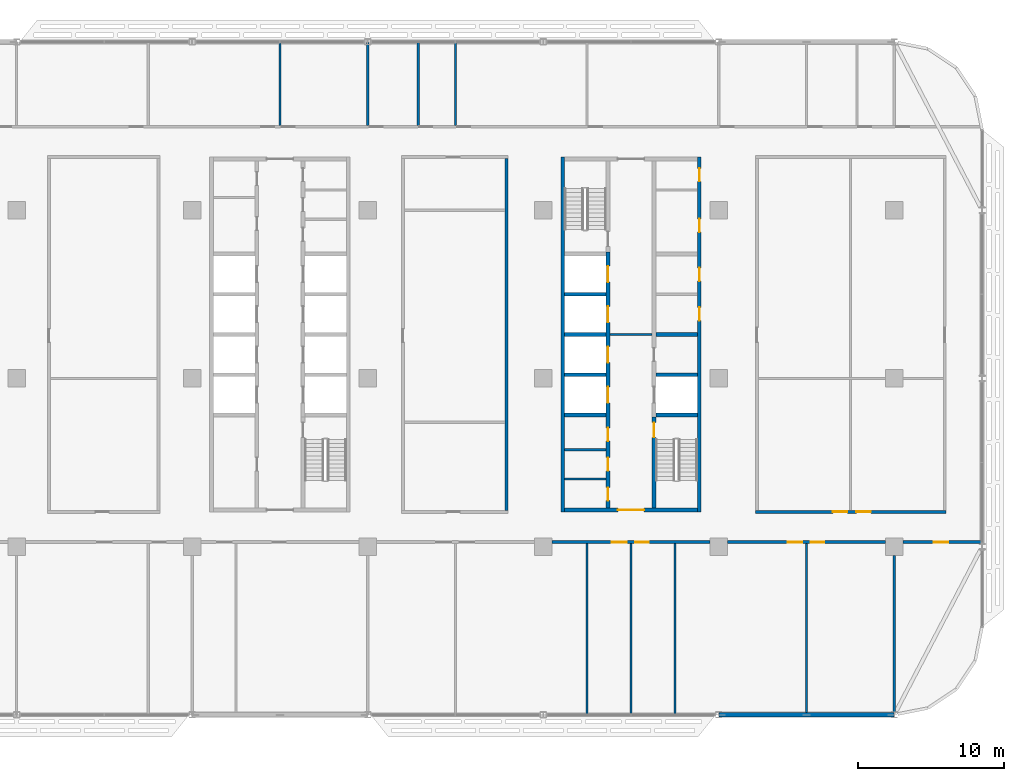
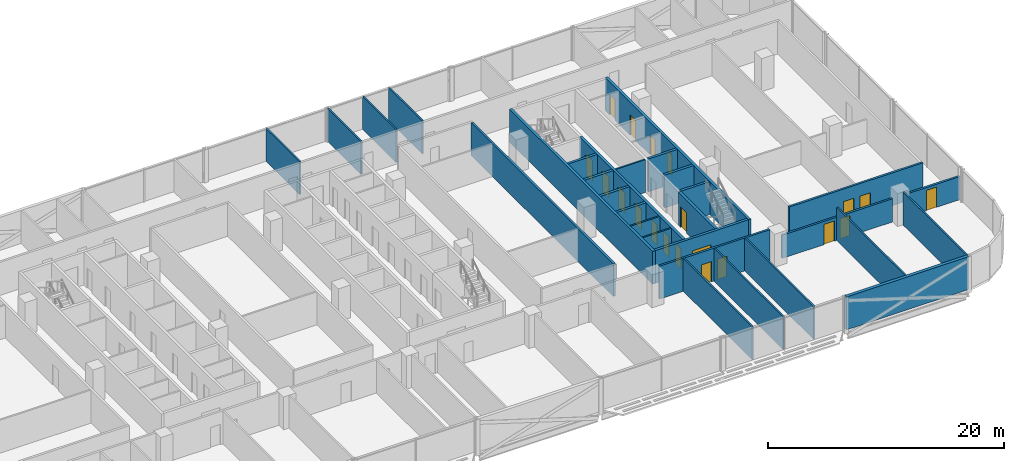
# One storey, part 15 of 28: 30 walls, 20 doors, 20 openings.
"""IFC4 building model written with IfcOpenShell, lengths in metres."""

from ifc_helpers import new_model, si_unit, direction, frame, frame_2d, origin, place, context, subcontext, project, spatial, rectangle, extrude, material, layer, layer_set, type_object, element, fill, save


model = new_model("IFC4")

# Units and contexts
model_context = context("Model", 3, precision=1e-05, world=origin(), true_north=direction((0.0, 1.0)))
body_context = subcontext(model_context, "Body", "Model", "MODEL_VIEW")
ifc_project = project(units=[si_unit("LENGTHUNIT", "METRE"), si_unit("AREAUNIT", "SQUARE_METRE"), si_unit("VOLUMEUNIT", "CUBIC_METRE"), si_unit("PLANEANGLEUNIT", "RADIAN"), si_unit("MASSUNIT", "GRAM", prefix="KILO")], contexts=[model_context])

# Site, building, storey
site_placement = place(None, origin())
site = spatial("IfcSite", under=ifc_project, at=site_placement, CompositionType="ELEMENT")
building_placement = place(site_placement, origin())
building = spatial("IfcBuilding", under=site, at=building_placement, Name="Mahtab Terrace Research Tower", CompositionType="ELEMENT")
storey_placement = place(building_placement, frame((0.0, 0.0, 185.800048828125)))
storey = spatial("IfcBuildingStorey", under=building, at=storey_placement, Name="L44", CompositionType="ELEMENT", Elevation=185.800048828125)

# Walls
ifc_material_1 = material(Name="Gypsum board partition")
ifc_layer_1 = layer(ifc_material_1, 0.14990234375)
ifc_layer_set_1 = layer_set([ifc_layer_1], Name="Core partition 150")
wall_type_1 = type_object("IfcWallType", Name="Core partition 150", PredefinedType="PARTITIONING", material=ifc_layer_set_1)
wall_1_placement = place(storey_placement, frame((22.550048828125, 3.0, 0.0), z_axis=(0.0, 0.0, 1.0), x_axis=(1.0, 0.0, 0.0)))
element("IfcWall", 1, at=wall_1_placement, inside=storey, type_object=wall_type_1, Name="Core wall C ffl", PredefinedType="PARTITIONING", context=body_context, shape_type="SweptSolid", body=[
    extrude(rectangle(XDim=2.89990234375, YDim=0.14990234375, at=frame_2d((1.449951171875, 0.0))), origin(), (0.0, 0.0, 1.0), 3.39990234375),
])
for number, where, z_axis, x_axis, name in (
    (2, (19.449951171875, -6.875, 0.0), (0.0, 0.0, 1.0), (1.0, 0.0, 0.0), "Core wall C pWS-988"),
    (3, (19.449951171875, -4.875, 0.0), (0.0, 0.0, 1.0), (1.0, 0.0, 0.0), "Core wall C pWS-788"),
):
    element("IfcWall", number, at=place(storey_placement, frame(where, z_axis=z_axis, x_axis=x_axis)), inside=storey, type_object=wall_type_1, Name=name, PredefinedType="PARTITIONING", context=body_context, shape_type="SweptSolid", body=[
        extrude(rectangle(XDim=2.85009765625, YDim=0.14990234375, at=frame_2d((1.425048828125, 0.0))), origin(), (0.0, 0.0, 1.0), 3.39990234375),
    ])
ifc_material_2 = material(Name="Concrete C70/85", Category="concrete")
ifc_layer_2 = layer(ifc_material_2, 0.25)
ifc_layer_set_2 = layer_set([ifc_layer_2], Name="Core wall 250")
wall_type_2 = type_object("IfcWallType", Name="Core wall 250", PredefinedType="SOLIDWALL", material=ifc_layer_set_2)
wall_2_placement = place(storey_placement, frame((19.324951171875, 15.125, 0.0), z_axis=(0.0, 0.0, 1.0), x_axis=(0.0, -1.0, 0.0)))
element("IfcWall", 4, at=wall_2_placement, inside=storey, type_object=wall_type_2, Name="Core wall C outerW", PredefinedType="SOLIDWALL", context=body_context, shape_type="SweptSolid", body=[
    extrude(rectangle(XDim=24.25, YDim=0.25, at=frame_2d((12.125, 0.0))), origin(), (0.0, 0.0, 1.0), 3.39990234375),
])

# Wall, openings, doors
wall_3_placement = place(storey_placement, frame((28.675048828125, -9.125, 0.0), z_axis=(0.0, 0.0, 1.0), x_axis=(0.0, 1.0, 0.0)))
wall_3 = element("IfcWall", 5, at=wall_3_placement, inside=storey, type_object=wall_type_2, Name="Core wall C outerE", PredefinedType="SOLIDWALL", context=body_context, shape_type="SweptSolid", body=[
    extrude(rectangle(XDim=24.25, YDim=0.25, at=frame_2d((12.125, 0.0))), origin(), (0.0, 0.0, 1.0), 3.39990234375),
])
opening_1_placement = place(wall_3_placement, frame((13.074951171875, 0.0, 0.0)))
opening_1 = element("IfcOpeningElement", 6, at=opening_1_placement, cuts=wall_3, Name="Opening C-R2", PredefinedType="OPENING", context=body_context, shape_type="SweptSolid", body=[
    extrude(rectangle(XDim=0.89990234375, YDim=2.10009765625, at=frame_2d((0.449951171875, 1.050048828125))), frame((0.0, 0.135009765625, 0.0), z_axis=(0.0, -1.0, 0.0), x_axis=(1.0, 0.0, 0.0)), (0.0, 0.0, 1.0), 0.27001953125),
])
opening_2_placement = place(wall_3_placement, frame((15.77490234375, 0.0, 0.0)))
opening_2 = element("IfcOpeningElement", 7, at=opening_2_placement, cuts=wall_3, Name="Opening C-R3", PredefinedType="OPENING", context=body_context, shape_type="SweptSolid", body=[
    extrude(rectangle(XDim=0.89990234375, YDim=2.10009765625, at=frame_2d((0.449951171875, 1.050048828125))), frame((0.0, 0.135009765625, 0.0), z_axis=(0.0, -1.0, 0.0), x_axis=(1.0, 0.0, 0.0)), (0.0, 0.0, 1.0), 0.27001953125),
])
opening_3_placement = place(wall_3_placement, frame((19.125, 0.0, 0.0)))
opening_3 = element("IfcOpeningElement", 8, at=opening_3_placement, cuts=wall_3, Name="Opening C-R7", PredefinedType="OPENING", context=body_context, shape_type="SweptSolid", body=[
    extrude(rectangle(XDim=0.89990234375, YDim=2.10009765625, at=frame_2d((0.449951171875, 1.050048828125))), frame((0.0, 0.135009765625, 0.0), z_axis=(0.0, -1.0, 0.0), x_axis=(1.0, 0.0, 0.0)), (0.0, 0.0, 1.0), 0.27001953125),
])
opening_4_placement = place(wall_3_placement, frame((22.58740234375, 0.0, 0.0)))
opening_4 = element("IfcOpeningElement", 9, at=opening_4_placement, cuts=wall_3, Name="Opening C-R8", PredefinedType="OPENING", context=body_context, shape_type="SweptSolid", body=[
    extrude(rectangle(XDim=0.89990234375, YDim=2.10009765625, at=frame_2d((0.449951171875, 1.050048828125))), frame((0.0, 0.135009765625, 0.0), z_axis=(0.0, -1.0, 0.0), x_axis=(1.0, 0.0, 0.0)), (0.0, 0.0, 1.0), 0.27001953125),
])
ifc_material_3 = material(Name="Steel fire door", Category="steel")
door_type_1 = type_object("IfcDoorType", Name="Room door 900x2100 1 HR", OperationType="NOTDEFINED", PredefinedType="DOOR", material=ifc_material_3)
door_1_placement = place(opening_1_placement, origin())
door_1 = element("IfcDoor", 10, at=door_1_placement, inside=storey, type_object=door_type_1, Name="Document store door", OperationType="SINGLE_SWING_RIGHT", OverallHeight=2.10009765625, OverallWidth=0.89990234375, PredefinedType="DOOR", context=body_context, shape_type="SweptSolid", body=[
    extrude(rectangle(XDim=0.89990234375, YDim=2.10009765625, at=frame_2d((0.449951171875, 1.050048828125))), frame((0.0, 0.02490234375, 0.0), z_axis=(0.0, -1.0, 0.0), x_axis=(1.0, 0.0, 0.0)), (0.0, 0.0, 1.0), 0.050048828125),
])
fill(opening_1, door_1)
door_2_placement = place(opening_2_placement, origin())
door_2 = element("IfcDoor", 11, at=door_2_placement, inside=storey, type_object=door_type_1, Name="IT equipment room door", OperationType="SINGLE_SWING_LEFT", OverallHeight=2.10009765625, OverallWidth=0.89990234375, PredefinedType="DOOR", context=body_context, shape_type="SweptSolid", body=[
    extrude(rectangle(XDim=0.89990234375, YDim=2.10009765625, at=frame_2d((0.449951171875, 1.050048828125))), frame((0.0, 0.02490234375, 0.0), z_axis=(0.0, -1.0, 0.0), x_axis=(1.0, 0.0, 0.0)), (0.0, 0.0, 1.0), 0.050048828125),
])
fill(opening_2, door_2)
door_3_placement = place(opening_3_placement, origin())
door_3 = element("IfcDoor", 12, at=door_3_placement, inside=storey, type_object=door_type_1, Name="IT equipment room door", OperationType="SINGLE_SWING_LEFT", OverallHeight=2.10009765625, OverallWidth=0.89990234375, PredefinedType="DOOR", context=body_context, shape_type="SweptSolid", body=[
    extrude(rectangle(XDim=0.89990234375, YDim=2.10009765625, at=frame_2d((0.449951171875, 1.050048828125))), frame((0.0, 0.02490234375, 0.0), z_axis=(0.0, -1.0, 0.0), x_axis=(1.0, 0.0, 0.0)), (0.0, 0.0, 1.0), 0.050048828125),
])
fill(opening_3, door_3)
door_4_placement = place(opening_4_placement, origin())
door_4 = element("IfcDoor", 13, at=door_4_placement, inside=storey, type_object=door_type_1, Name="Electrical riser room door", OperationType="SINGLE_SWING_RIGHT", OverallHeight=2.10009765625, OverallWidth=0.89990234375, PredefinedType="DOOR", context=body_context, shape_type="SweptSolid", body=[
    extrude(rectangle(XDim=0.89990234375, YDim=2.10009765625, at=frame_2d((0.449951171875, 1.050048828125))), frame((0.0, 0.02490234375, 0.0), z_axis=(0.0, -1.0, 0.0), x_axis=(1.0, 0.0, 0.0)), (0.0, 0.0, 1.0), 0.050048828125),
])
fill(opening_4, door_4)

# Wall, opening, door
wall_4_placement = place(storey_placement, frame((28.550048828125, -9.0, 0.0), z_axis=(0.0, 0.0, 1.0), x_axis=(-1.0, 0.0, 0.0)))
wall_4 = element("IfcWall", 14, at=wall_4_placement, inside=storey, type_object=wall_type_2, Name="Core wall C endS", PredefinedType="SOLIDWALL", context=body_context, shape_type="SweptSolid", body=[
    extrude(rectangle(XDim=9.10009765625, YDim=0.25, at=frame_2d((4.550048828125, 0.0))), origin(), (0.0, 0.0, 1.0), 3.39990234375),
])
opening_5_placement = place(wall_4_placement, frame((3.64990234375, 0.0, 0.0)))
opening_5 = element("IfcOpeningElement", 15, at=opening_5_placement, cuts=wall_4, Name="Opening C-S1", PredefinedType="OPENING", context=body_context, shape_type="SweptSolid", body=[
    extrude(rectangle(XDim=1.800048828125, YDim=2.10009765625, at=frame_2d((0.89990234375, 1.050048828125))), frame((0.0, 0.135009765625, 0.0), z_axis=(0.0, -1.0, 0.0), x_axis=(1.0, 0.0, 0.0)), (0.0, 0.0, 1.0), 0.27001953125),
])
door_type_2 = type_object("IfcDoorType", Name="Lobby double door 1800x2100 1 HR", OperationType="DOUBLE_DOOR_SINGLE_SWING", PredefinedType="DOOR", material=ifc_material_3)
door_5_placement = place(opening_5_placement, origin())
door_5 = element("IfcDoor", 16, at=door_5_placement, inside=storey, type_object=door_type_2, Name="Core entrance door C S", OperationType="DOUBLE_DOOR_SINGLE_SWING", OverallHeight=2.10009765625, OverallWidth=1.800048828125, PredefinedType="DOOR", context=body_context, shape_type="SweptSolid", body=[
    extrude(rectangle(XDim=1.800048828125, YDim=2.10009765625, at=frame_2d((0.89990234375, 1.050048828125))), frame((0.0, 0.02490234375, 0.0), z_axis=(0.0, -1.0, 0.0), x_axis=(1.0, 0.0, 0.0)), (0.0, 0.0, 1.0), 0.050048828125),
])
fill(opening_5, door_5)

# Wall, openings, doors
wall_5_placement = place(storey_placement, frame((22.425048828125, -8.875, 0.0), z_axis=(0.0, 0.0, 1.0), x_axis=(0.0, 1.0, 0.0)))
wall_5 = element("IfcWall", 17, at=wall_5_placement, inside=storey, type_object=wall_type_2, Name="Core wall C innerWSL", PredefinedType="SOLIDWALL", context=body_context, shape_type="SweptSolid", body=[
    extrude(rectangle(XDim=17.5, YDim=0.25, at=frame_2d((8.75, 0.0))), origin(), (0.0, 0.0, 1.0), 3.39990234375),
])
opening_6_placement = place(wall_5_placement, frame((7.199951171875, 0.0, 0.0)))
opening_6 = element("IfcOpeningElement", 18, at=opening_6_placement, cuts=wall_5, Name="Opening LD17-L44", PredefinedType="OPENING", context=body_context, shape_type="SweptSolid", body=[
    extrude(rectangle(XDim=1.10009765625, YDim=2.10009765625, at=frame_2d((0.550048828125, 1.050048828125))), frame((0.0, 0.135009765625, 0.0), z_axis=(0.0, -1.0, 0.0), x_axis=(1.0, 0.0, 0.0)), (0.0, 0.0, 1.0), 0.27001953125),
])
opening_7_placement = place(wall_5_placement, frame((9.949951171875, 0.0, 0.0)))
opening_7 = element("IfcOpeningElement", 19, at=opening_7_placement, cuts=wall_5, Name="Opening LD18-L44", PredefinedType="OPENING", context=body_context, shape_type="SweptSolid", body=[
    extrude(rectangle(XDim=1.10009765625, YDim=2.10009765625, at=frame_2d((0.550048828125, 1.050048828125))), frame((0.0, 0.135009765625, 0.0), z_axis=(0.0, -1.0, 0.0), x_axis=(1.0, 0.0, 0.0)), (0.0, 0.0, 1.0), 0.27001953125),
])
opening_8_placement = place(wall_5_placement, frame((12.699951171875, 0.0, 0.0)))
opening_8 = element("IfcOpeningElement", 20, at=opening_8_placement, cuts=wall_5, Name="Opening LD19-L44", PredefinedType="OPENING", context=body_context, shape_type="SweptSolid", body=[
    extrude(rectangle(XDim=1.10009765625, YDim=2.10009765625, at=frame_2d((0.550048828125, 1.050048828125))), frame((0.0, 0.135009765625, 0.0), z_axis=(0.0, -1.0, 0.0), x_axis=(1.0, 0.0, 0.0)), (0.0, 0.0, 1.0), 0.27001953125),
])
opening_9_placement = place(wall_5_placement, frame((15.449951171875, 0.0, 0.0)))
opening_9 = element("IfcOpeningElement", 21, at=opening_9_placement, cuts=wall_5, Name="Opening LD20-L44", PredefinedType="OPENING", context=body_context, shape_type="SweptSolid", body=[
    extrude(rectangle(XDim=1.10009765625, YDim=2.10009765625, at=frame_2d((0.550048828125, 1.050048828125))), frame((0.0, 0.135009765625, 0.0), z_axis=(0.0, -1.0, 0.0), x_axis=(1.0, 0.0, 0.0)), (0.0, 0.0, 1.0), 0.27001953125),
])
opening_10_placement = place(wall_5_placement, frame((0.512451171875, 0.0, 0.0)))
opening_10 = element("IfcOpeningElement", 22, at=opening_10_placement, cuts=wall_5, Name="Opening C-R4", PredefinedType="OPENING", context=body_context, shape_type="SweptSolid", body=[
    extrude(rectangle(XDim=0.89990234375, YDim=2.10009765625, at=frame_2d((0.449951171875, 1.050048828125))), frame((0.0, 0.135009765625, 0.0), z_axis=(0.0, -1.0, 0.0), x_axis=(1.0, 0.0, 0.0)), (0.0, 0.0, 1.0), 0.27001953125),
])
opening_11_placement = place(wall_5_placement, frame((2.550048828125, 0.0, 0.0)))
opening_11 = element("IfcOpeningElement", 23, at=opening_11_placement, cuts=wall_5, Name="Opening C-R5", PredefinedType="OPENING", context=body_context, shape_type="SweptSolid", body=[
    extrude(rectangle(XDim=0.89990234375, YDim=2.10009765625, at=frame_2d((0.449951171875, 1.050048828125))), frame((0.0, 0.135009765625, 0.0), z_axis=(0.0, -1.0, 0.0), x_axis=(1.0, 0.0, 0.0)), (0.0, 0.0, 1.0), 0.27001953125),
])
opening_12_placement = place(wall_5_placement, frame((4.58740234375, 0.0, 0.0)))
opening_12 = element("IfcOpeningElement", 24, at=opening_12_placement, cuts=wall_5, Name="Opening C-R6", PredefinedType="OPENING", context=body_context, shape_type="SweptSolid", body=[
    extrude(rectangle(XDim=0.89990234375, YDim=2.10009765625, at=frame_2d((0.449951171875, 1.050048828125))), frame((0.0, 0.135009765625, 0.0), z_axis=(0.0, -1.0, 0.0), x_axis=(1.0, 0.0, 0.0)), (0.0, 0.0, 1.0), 0.27001953125),
])
ifc_material_4 = material(Name="Stainless steel AISI 304", Category="steel")
door_type_3 = type_object("IfcDoorType", Name="Landing door 1100x2100", OperationType="DOUBLE_DOOR_SLIDING", PredefinedType="DOOR", material=ifc_material_4)
door_6_placement = place(opening_6_placement, origin())
door_6 = element("IfcDoor", 25, at=door_6_placement, inside=storey, type_object=door_type_3, Name="Landing door SV1 L44", OperationType="DOUBLE_DOOR_SLIDING", OverallHeight=2.10009765625, OverallWidth=1.10009765625, PredefinedType="DOOR", context=body_context, shape_type="SweptSolid", body=[
    extrude(rectangle(XDim=1.10009765625, YDim=2.10009765625, at=frame_2d((0.550048828125, 1.050048828125))), frame((0.0, 0.02490234375, 0.0), z_axis=(0.0, -1.0, 0.0), x_axis=(1.0, 0.0, 0.0)), (0.0, 0.0, 1.0), 0.050048828125),
])
fill(opening_6, door_6)
door_7_placement = place(opening_7_placement, origin())
door_7 = element("IfcDoor", 26, at=door_7_placement, inside=storey, type_object=door_type_3, Name="Landing door SV2 L44", OperationType="DOUBLE_DOOR_SLIDING", OverallHeight=2.10009765625, OverallWidth=1.10009765625, PredefinedType="DOOR", context=body_context, shape_type="SweptSolid", body=[
    extrude(rectangle(XDim=1.10009765625, YDim=2.10009765625, at=frame_2d((0.550048828125, 1.050048828125))), frame((0.0, 0.02490234375, 0.0), z_axis=(0.0, -1.0, 0.0), x_axis=(1.0, 0.0, 0.0)), (0.0, 0.0, 1.0), 0.050048828125),
])
fill(opening_7, door_7)
door_8_placement = place(opening_8_placement, origin())
door_8 = element("IfcDoor", 27, at=door_8_placement, inside=storey, type_object=door_type_3, Name="Landing door FF1 L44", OperationType="DOUBLE_DOOR_SLIDING", OverallHeight=2.10009765625, OverallWidth=1.10009765625, PredefinedType="DOOR", context=body_context, shape_type="SweptSolid", body=[
    extrude(rectangle(XDim=1.10009765625, YDim=2.10009765625, at=frame_2d((0.550048828125, 1.050048828125))), frame((0.0, 0.02490234375, 0.0), z_axis=(0.0, -1.0, 0.0), x_axis=(1.0, 0.0, 0.0)), (0.0, 0.0, 1.0), 0.050048828125),
])
fill(opening_8, door_8)
door_9_placement = place(opening_9_placement, origin())
door_9 = element("IfcDoor", 28, at=door_9_placement, inside=storey, type_object=door_type_3, Name="Landing door FF2 L44", OperationType="DOUBLE_DOOR_SLIDING", OverallHeight=2.10009765625, OverallWidth=1.10009765625, PredefinedType="DOOR", context=body_context, shape_type="SweptSolid", body=[
    extrude(rectangle(XDim=1.10009765625, YDim=2.10009765625, at=frame_2d((0.550048828125, 1.050048828125))), frame((0.0, 0.02490234375, 0.0), z_axis=(0.0, -1.0, 0.0), x_axis=(1.0, 0.0, 0.0)), (0.0, 0.0, 1.0), 0.050048828125),
])
fill(opening_9, door_9)
door_10_placement = place(opening_10_placement, origin())
door_10 = element("IfcDoor", 29, at=door_10_placement, inside=storey, type_object=door_type_1, Name="Male WC door", OperationType="SINGLE_SWING_RIGHT", OverallHeight=2.10009765625, OverallWidth=0.89990234375, PredefinedType="DOOR", context=body_context, shape_type="SweptSolid", body=[
    extrude(rectangle(XDim=0.89990234375, YDim=2.10009765625, at=frame_2d((0.449951171875, 1.050048828125))), frame((0.0, 0.02490234375, 0.0), z_axis=(0.0, -1.0, 0.0), x_axis=(1.0, 0.0, 0.0)), (0.0, 0.0, 1.0), 0.050048828125),
])
fill(opening_10, door_10)
door_11_placement = place(opening_11_placement, origin())
door_11 = element("IfcDoor", 30, at=door_11_placement, inside=storey, type_object=door_type_1, Name="Female WC door", OperationType="SINGLE_SWING_LEFT", OverallHeight=2.10009765625, OverallWidth=0.89990234375, PredefinedType="DOOR", context=body_context, shape_type="SweptSolid", body=[
    extrude(rectangle(XDim=0.89990234375, YDim=2.10009765625, at=frame_2d((0.449951171875, 1.050048828125))), frame((0.0, 0.02490234375, 0.0), z_axis=(0.0, -1.0, 0.0), x_axis=(1.0, 0.0, 0.0)), (0.0, 0.0, 1.0), 0.050048828125),
])
fill(opening_11, door_11)
door_12_placement = place(opening_12_placement, origin())
door_12 = element("IfcDoor", 31, at=door_12_placement, inside=storey, type_object=door_type_1, Name="Accessible WC door", OperationType="SINGLE_SWING_RIGHT", OverallHeight=2.10009765625, OverallWidth=0.89990234375, PredefinedType="DOOR", context=body_context, shape_type="SweptSolid", body=[
    extrude(rectangle(XDim=0.89990234375, YDim=2.10009765625, at=frame_2d((0.449951171875, 1.050048828125))), frame((0.0, 0.02490234375, 0.0), z_axis=(0.0, -1.0, 0.0), x_axis=(1.0, 0.0, 0.0)), (0.0, 0.0, 1.0), 0.050048828125),
])
fill(opening_12, door_12)

# Wall, opening, door
wall_6_placement = place(storey_placement, frame((25.574951171875, -8.875, 0.0), z_axis=(0.0, 0.0, 1.0), x_axis=(0.0, 1.0, 0.0)))
wall_6 = element("IfcWall", 32, at=wall_6_placement, inside=storey, type_object=wall_type_2, Name="Core wall C innerES", PredefinedType="SOLIDWALL", context=body_context, shape_type="SweptSolid", body=[
    extrude(rectangle(XDim=6.25, YDim=0.25, at=frame_2d((3.125, 0.0))), origin(), (0.0, 0.0, 1.0), 3.39990234375),
])
opening_13_placement = place(wall_6_placement, frame((4.85009765625, 0.0, 0.0)))
opening_13 = element("IfcOpeningElement", 33, at=opening_13_placement, cuts=wall_6, Name="Opening C-ST4", PredefinedType="OPENING", context=body_context, shape_type="SweptSolid", body=[
    extrude(rectangle(XDim=1.0, YDim=2.10009765625, at=frame_2d((0.5, 1.050048828125))), frame((0.0, 0.135009765625, 0.0), z_axis=(0.0, -1.0, 0.0), x_axis=(1.0, 0.0, 0.0)), (0.0, 0.0, 1.0), 0.27001953125),
])
door_type_4 = type_object("IfcDoorType", Name="Stair door 1000x2100 1.5 HR", OperationType="NOTDEFINED", PredefinedType="DOOR", material=ifc_material_3)
door_13_placement = place(opening_13_placement, origin())
door_13 = element("IfcDoor", 34, at=door_13_placement, inside=storey, type_object=door_type_4, Name="Stair door ST4 L44", OperationType="SINGLE_SWING_RIGHT", OverallHeight=2.10009765625, OverallWidth=1.0, PredefinedType="DOOR", context=body_context, shape_type="SweptSolid", body=[
    extrude(rectangle(XDim=1.0, YDim=2.10009765625, at=frame_2d((0.5, 1.050048828125))), frame((0.0, 0.02490234375, 0.0), z_axis=(0.0, -1.0, 0.0), x_axis=(1.0, 0.0, 0.0)), (0.0, 0.0, 1.0), 0.050048828125),
])
fill(opening_13, door_13)

# Walls
for number, where, z_axis, x_axis, name in (
    (35, (19.449951171875, -2.5, 0.0), (0.0, 0.0, 1.0), (1.0, 0.0, 0.0), "Core wall C divW0"),
    (36, (19.449951171875, 0.25, 0.0), (0.0, 0.0, 1.0), (1.0, 0.0, 0.0), "Core wall C divW1"),
    (37, (19.449951171875, 3.0, 0.0), (0.0, 0.0, 1.0), (1.0, 0.0, 0.0), "Core wall C divW2"),
    (38, (19.449951171875, 5.75, 0.0), (0.0, 0.0, 1.0), (1.0, 0.0, 0.0), "Core wall C divW3"),
    (39, (25.699951171875, -2.5, 0.0), (0.0, 0.0, 1.0), (1.0, 0.0, 0.0), "Core wall C divE0"),
    (40, (25.699951171875, 0.25, 0.0), (0.0, 0.0, 1.0), (1.0, 0.0, 0.0), "Core wall C divE1"),
    (41, (25.699951171875, 3.0, 0.0), (0.0, 0.0, 1.0), (1.0, 0.0, 0.0), "Core wall C divE2"),
):
    element("IfcWall", number, at=place(storey_placement, frame(where, z_axis=z_axis, x_axis=x_axis)), inside=storey, type_object=wall_type_2, Name=name, PredefinedType="SOLIDWALL", context=body_context, shape_type="SweptSolid", body=[
        extrude(rectangle(XDim=2.85009765625, YDim=0.25, at=frame_2d((1.425048828125, 0.0))), origin(), (0.0, 0.0, 1.0), 3.39990234375),
    ])
ifc_material_5 = material(Name="Black aluminium cladding panel", Category="aluminium")
ifc_layer_3 = layer(ifc_material_5, 0.300048828125)
ifc_layer_set_3 = layer_set([ifc_layer_3], Name="Opaque facade wall 300")
wall_type_3 = type_object("IfcWallType", Name="Opaque facade wall 300", PredefinedType="NOTDEFINED", material=ifc_layer_set_3)
wall_7_placement = place(storey_placement, frame((30.014892578125, -23.0, 0.0), z_axis=(0.0, 0.0, 1.0), x_axis=(1.0, 0.0, 0.0)))
element("IfcWall", 42, at=wall_7_placement, inside=storey, type_object=wall_type_3, Name="Opaque facade wall L44 S29", PredefinedType="NOTDEFINED", context=body_context, shape_type="SweptSolid", body=[
    extrude(rectangle(XDim=11.97021484375, YDim=0.300048828125, at=frame_2d((5.985107421875, 0.0))), origin(), (0.0, 0.0, 1.0), 3.39990234375),
])

# Wall, openings, doors
ifc_material_6 = material(Name="Gypsum board corridor wall on steel studs", Category="steel")
ifc_layer_4 = layer(ifc_material_6, 0.199951171875)
ifc_layer_set_4 = layer_set([ifc_layer_4], Name="WALL CORRIDOR 200")
wall_type_4 = type_object("IfcWallType", Name="WALL CORRIDOR 200", PredefinedType="PARTITIONING", material=ifc_layer_set_4)
wall_8_placement = place(storey_placement, frame((18.60009765625, -11.199951171875, 0.0), z_axis=(0.0, 0.0, 1.0), x_axis=(1.0, 0.0, 0.0)))
wall_8 = element("IfcWall", 43, at=wall_8_placement, inside=storey, type_object=wall_type_4, Name="L44-W007", PredefinedType="PARTITIONING", context=body_context, shape_type="SweptSolid", body=[
    extrude(rectangle(XDim=10.7998046875, YDim=0.199951171875, at=frame_2d((5.39990234375, 0.0))), origin(), (0.0, 0.0, 1.0), 3.39990234375),
])
opening_14_placement = place(wall_8_placement, frame((4.10009765625, 0.0, 0.0)))
opening_14 = element("IfcOpeningElement", 44, at=opening_14_placement, cuts=wall_8, Name="Opening L44-112", PredefinedType="OPENING", context=body_context, shape_type="SweptSolid", body=[
    extrude(rectangle(XDim=1.0, YDim=2.10009765625, at=frame_2d((0.5, 1.050048828125))), frame((0.0, 0.10986328125, 0.0), z_axis=(0.0, -1.0, 0.0), x_axis=(1.0, 0.0, 0.0)), (0.0, 0.0, 1.0), 0.219970703125),
])
opening_15_placement = place(wall_8_placement, frame((5.699951171875, 0.0, 0.0)))
opening_15 = element("IfcOpeningElement", 45, at=opening_15_placement, cuts=wall_8, Name="Opening L44-113", PredefinedType="OPENING", context=body_context, shape_type="SweptSolid", body=[
    extrude(rectangle(XDim=0.89990234375, YDim=2.10009765625, at=frame_2d((0.449951171875, 1.050048828125))), frame((0.0, 0.10986328125, 0.0), z_axis=(0.0, -1.0, 0.0), x_axis=(1.0, 0.0, 0.0)), (0.0, 0.0, 1.0), 0.219970703125),
])
ifc_material_7 = material(Name="Timber door leaf in steel frame", Category="steel")
door_type_5 = type_object("IfcDoorType", Name="DOOR 0900X2100 FD30S", OperationType="SINGLE_SWING_LEFT", PredefinedType="DOOR", material=ifc_material_7)
door_14_placement = place(opening_15_placement, origin())
door_14 = element("IfcDoor", 46, at=door_14_placement, inside=storey, type_object=door_type_5, Name="Door L44-113", OperationType="SINGLE_SWING_LEFT", OverallHeight=2.10009765625, OverallWidth=0.89990234375, PredefinedType="DOOR", context=body_context, shape_type="SweptSolid", body=[
    extrude(rectangle(XDim=0.89990234375, YDim=2.10009765625, at=frame_2d((0.449951171875, 1.050048828125))), frame((0.0, 0.02490234375, 0.0), z_axis=(0.0, -1.0, 0.0), x_axis=(1.0, 0.0, 0.0)), (0.0, 0.0, 1.0), 0.050048828125),
])
fill(opening_15, door_14)
door_type_6 = type_object("IfcDoorType", Name="DOOR 1000X2100 FD30S", OperationType="SINGLE_SWING_LEFT", PredefinedType="DOOR", material=ifc_material_7)
door_15_placement = place(opening_14_placement, origin())
door_15 = element("IfcDoor", 47, at=door_15_placement, inside=storey, type_object=door_type_6, Name="Door L44-112", OperationType="SINGLE_SWING_RIGHT", OverallHeight=2.10009765625, OverallWidth=1.0, PredefinedType="DOOR", context=body_context, shape_type="SweptSolid", body=[
    extrude(rectangle(XDim=1.0, YDim=2.10009765625, at=frame_2d((0.5, 1.050048828125))), frame((0.0, 0.02490234375, 0.0), z_axis=(0.0, -1.0, 0.0), x_axis=(1.0, 0.0, 0.0)), (0.0, 0.0, 1.0), 0.050048828125),
])
fill(opening_14, door_15)

wall_9_placement = place(storey_placement, frame((30.60009765625, -11.199951171875, 0.0), z_axis=(0.0, 0.0, 1.0), x_axis=(1.0, 0.0, 0.0)))
wall_9 = element("IfcWall", 48, at=wall_9_placement, inside=storey, type_object=wall_type_4, Name="L44-W008", PredefinedType="PARTITIONING", context=body_context, shape_type="SweptSolid", body=[
    extrude(rectangle(XDim=10.7998046875, YDim=0.199951171875, at=frame_2d((5.39990234375, 0.0))), origin(), (0.0, 0.0, 1.0), 2.401123046875),
])
opening_16_placement = place(wall_9_placement, frame((4.10009765625, 0.0, 0.0)))
opening_16 = element("IfcOpeningElement", 49, at=opening_16_placement, cuts=wall_9, Name="Opening L44-114", PredefinedType="OPENING", context=body_context, shape_type="SweptSolid", body=[
    extrude(rectangle(XDim=1.0, YDim=2.10009765625, at=frame_2d((0.5, 1.050048828125))), frame((0.0, 0.10986328125, 0.0), z_axis=(0.0, -1.0, 0.0), x_axis=(1.0, 0.0, 0.0)), (0.0, 0.0, 1.0), 0.219970703125),
])
opening_17_placement = place(wall_9_placement, frame((5.699951171875, 0.0, 0.0)))
opening_17 = element("IfcOpeningElement", 50, at=opening_17_placement, cuts=wall_9, Name="Opening L44-115", PredefinedType="OPENING", context=body_context, shape_type="SweptSolid", body=[
    extrude(rectangle(XDim=0.89990234375, YDim=2.10009765625, at=frame_2d((0.449951171875, 1.050048828125))), frame((0.0, 0.10986328125, 0.0), z_axis=(0.0, -1.0, 0.0), x_axis=(1.0, 0.0, 0.0)), (0.0, 0.0, 1.0), 0.219970703125),
])
door_16_placement = place(opening_17_placement, origin())
door_16 = element("IfcDoor", 51, at=door_16_placement, inside=storey, type_object=door_type_5, Name="Door L44-115", OperationType="SINGLE_SWING_LEFT", OverallHeight=2.10009765625, OverallWidth=0.89990234375, PredefinedType="DOOR", context=body_context, shape_type="SweptSolid", body=[
    extrude(rectangle(XDim=0.89990234375, YDim=2.10009765625, at=frame_2d((0.449951171875, 1.050048828125))), frame((0.0, 0.02490234375, 0.0), z_axis=(0.0, -1.0, 0.0), x_axis=(1.0, 0.0, 0.0)), (0.0, 0.0, 1.0), 0.050048828125),
])
fill(opening_17, door_16)
door_17_placement = place(opening_16_placement, origin())
door_17 = element("IfcDoor", 52, at=door_17_placement, inside=storey, type_object=door_type_6, Name="Door L44-114", OperationType="SINGLE_SWING_RIGHT", OverallHeight=2.10009765625, OverallWidth=1.0, PredefinedType="DOOR", context=body_context, shape_type="SweptSolid", body=[
    extrude(rectangle(XDim=1.0, YDim=2.10009765625, at=frame_2d((0.5, 1.050048828125))), frame((0.0, 0.02490234375, 0.0), z_axis=(0.0, -1.0, 0.0), x_axis=(1.0, 0.0, 0.0)), (0.0, 0.0, 1.0), 0.050048828125),
])
fill(opening_16, door_17)

# Wall, opening, door
wall_10_placement = place(storey_placement, frame((42.60009765625, -11.199951171875, 0.0), z_axis=(0.0, 0.0, 1.0), x_axis=(1.0, 0.0, 0.0)))
wall_10 = element("IfcWall", 53, at=wall_10_placement, inside=storey, type_object=wall_type_4, Name="L44-W009", PredefinedType="PARTITIONING", context=body_context, shape_type="SweptSolid", body=[
    extrude(rectangle(XDim=5.375, YDim=0.199951171875, at=frame_2d((2.6875, 0.0))), origin(), (0.0, 0.0, 1.0), 2.401123046875),
])
opening_18_placement = place(wall_10_placement, frame((2.10009765625, 0.0, 0.0)))
opening_18 = element("IfcOpeningElement", 54, at=opening_18_placement, cuts=wall_10, Name="Opening L44-116", PredefinedType="OPENING", context=body_context, shape_type="SweptSolid", body=[
    extrude(rectangle(XDim=1.0, YDim=2.10009765625, at=frame_2d((0.5, 1.050048828125))), frame((0.0, 0.10986328125, 0.0), z_axis=(0.0, -1.0, 0.0), x_axis=(1.0, 0.0, 0.0)), (0.0, 0.0, 1.0), 0.219970703125),
])
door_18_placement = place(opening_18_placement, origin())
door_18 = element("IfcDoor", 55, at=door_18_placement, inside=storey, type_object=door_type_6, Name="Door L44-116", OperationType="SINGLE_SWING_RIGHT", OverallHeight=2.10009765625, OverallWidth=1.0, PredefinedType="DOOR", context=body_context, shape_type="SweptSolid", body=[
    extrude(rectangle(XDim=1.0, YDim=2.10009765625, at=frame_2d((0.5, 1.050048828125))), frame((0.0, 0.02490234375, 0.0), z_axis=(0.0, -1.0, 0.0), x_axis=(1.0, 0.0, 0.0)), (0.0, 0.0, 1.0), 0.050048828125),
])
fill(opening_18, door_18)

# Wall, openings, doors
wall_11_placement = place(storey_placement, frame((32.5, -9.125, 0.0), z_axis=(0.0, 0.0, 1.0), x_axis=(1.0, 0.0, 0.0)))
wall_11 = element("IfcWall", 56, at=wall_11_placement, inside=storey, type_object=wall_type_4, Name="L44-W013", PredefinedType="PARTITIONING", context=body_context, shape_type="SweptSolid", body=[
    extrude(rectangle(XDim=13.050048828125, YDim=0.199951171875, at=frame_2d((6.52490234375, 0.0))), origin(), (0.0, 0.0, 1.0), 3.39990234375),
])
opening_19_placement = place(wall_11_placement, frame((5.300048828125, 0.0, 0.0)))
opening_19 = element("IfcOpeningElement", 57, at=opening_19_placement, cuts=wall_11, Name="Opening L44-120", PredefinedType="OPENING", context=body_context, shape_type="SweptSolid", body=[
    extrude(rectangle(XDim=1.0, YDim=2.10009765625, at=frame_2d((0.5, 1.050048828125))), frame((0.0, 0.10986328125, 0.0), z_axis=(0.0, -1.0, 0.0), x_axis=(1.0, 0.0, 0.0)), (0.0, 0.0, 1.0), 0.219970703125),
])
opening_20_placement = place(wall_11_placement, frame((6.89990234375, 0.0, 0.0)))
opening_20 = element("IfcOpeningElement", 58, at=opening_20_placement, cuts=wall_11, Name="Opening L44-121", PredefinedType="OPENING", context=body_context, shape_type="SweptSolid", body=[
    extrude(rectangle(XDim=1.0, YDim=2.10009765625, at=frame_2d((0.5, 1.050048828125))), frame((0.0, 0.10986328125, 0.0), z_axis=(0.0, -1.0, 0.0), x_axis=(1.0, 0.0, 0.0)), (0.0, 0.0, 1.0), 0.219970703125),
])
door_19_placement = place(opening_19_placement, origin())
door_19 = element("IfcDoor", 59, at=door_19_placement, inside=storey, type_object=door_type_6, Name="Door L44-120", OperationType="SINGLE_SWING_LEFT", OverallHeight=2.10009765625, OverallWidth=1.0, PredefinedType="DOOR", context=body_context, shape_type="SweptSolid", body=[
    extrude(rectangle(XDim=1.0, YDim=2.10009765625, at=frame_2d((0.5, 1.050048828125))), frame((0.0, 0.02490234375, 0.0), z_axis=(0.0, -1.0, 0.0), x_axis=(1.0, 0.0, 0.0)), (0.0, 0.0, 1.0), 0.050048828125),
])
fill(opening_19, door_19)
door_20_placement = place(opening_20_placement, origin())
door_20 = element("IfcDoor", 60, at=door_20_placement, inside=storey, type_object=door_type_6, Name="Door L44-121", OperationType="SINGLE_SWING_RIGHT", OverallHeight=2.10009765625, OverallWidth=1.0, PredefinedType="DOOR", context=body_context, shape_type="SweptSolid", body=[
    extrude(rectangle(XDim=1.0, YDim=2.10009765625, at=frame_2d((0.5, 1.050048828125))), frame((0.0, 0.02490234375, 0.0), z_axis=(0.0, -1.0, 0.0), x_axis=(1.0, 0.0, 0.0)), (0.0, 0.0, 1.0), 0.050048828125),
])
fill(opening_20, door_20)

# Walls
wall_12_placement = place(storey_placement, frame((15.5, -9.02490234375, 0.0), z_axis=(0.0, 0.0, 1.0), x_axis=(0.0, 1.0, 0.0)))
element("IfcWall", 61, at=wall_12_placement, inside=storey, type_object=wall_type_4, Name="L44-W051", PredefinedType="PARTITIONING", context=body_context, shape_type="SweptSolid", body=[
    extrude(rectangle(XDim=24.0498046875, YDim=0.199951171875, at=frame_2d((12.02490234375, 0.0))), origin(), (0.0, 0.0, 1.0), 3.39990234375),
])
ifc_material_8 = material(Name="Gypsum board partition on steel studs", Category="steel")
ifc_layer_5 = layer(ifc_material_8, 0.14990234375)
ifc_layer_set_5 = layer_set([ifc_layer_5], Name="WALL PARTITION 150")
wall_type_5 = type_object("IfcWallType", Name="WALL PARTITION 150", PredefinedType="PARTITIONING", material=ifc_layer_set_5)
for number, where, z_axis, x_axis, name in (
    (62, (0.0, 17.300048828125, 0.0), (0.0, 0.0, 1.0), (0.0, 1.0, 0.0), "L44-W044"),
    (63, (6.0, 17.300048828125, 0.0), (0.0, 0.0, 1.0), (0.0, 1.0, 0.0), "L44-W046"),
    (64, (9.449951171875, 17.300048828125, 0.0), (0.0, 0.0, 1.0), (0.0, 1.0, 0.0), "L44-W048"),
    (65, (12.0, 17.300048828125, 0.0), (0.0, 0.0, 1.0), (0.0, 1.0, 0.0), "L44-W050"),
):
    element("IfcWall", number, at=place(storey_placement, frame(where, z_axis=z_axis, x_axis=x_axis)), inside=storey, type_object=wall_type_5, Name=name, PredefinedType="PARTITIONING", context=body_context, shape_type="SweptSolid", body=[
        extrude(rectangle(XDim=5.675048828125, YDim=0.14990234375, at=frame_2d((2.83740234375, 0.0))), origin(), (0.0, 0.0, 1.0), 3.39990234375),
    ])
for number, where, z_axis, x_axis, name in (
    (66, (21.0, -22.97509765625, 0.0), (0.0, 0.0, 1.0), (0.0, 1.0, 0.0), "L44-W052"),
    (67, (24.0, -22.97509765625, 0.0), (0.0, 0.0, 1.0), (0.0, 1.0, 0.0), "L44-W054"),
    (68, (27.0, -22.97509765625, 0.0), (0.0, 0.0, 1.0), (0.0, 1.0, 0.0), "L44-W055"),
):
    element("IfcWall", number, at=place(storey_placement, frame(where, z_axis=z_axis, x_axis=x_axis)), inside=storey, type_object=wall_type_5, Name=name, PredefinedType="PARTITIONING", context=body_context, shape_type="SweptSolid", body=[
        extrude(rectangle(XDim=11.675048828125, YDim=0.14990234375, at=frame_2d((5.83740234375, 0.0))), origin(), (0.0, 0.0, 1.0), 3.39990234375),
    ])
wall_13_placement = place(storey_placement, frame((36.0, -22.85009765625, 0.0), z_axis=(0.0, 0.0, 1.0), x_axis=(0.0, 1.0, 0.0)))
element("IfcWall", 69, at=wall_13_placement, inside=storey, type_object=wall_type_5, Name="L44-W058", PredefinedType="PARTITIONING", context=body_context, shape_type="SweptSolid", body=[
    extrude(rectangle(XDim=11.550048828125, YDim=0.14990234375, at=frame_2d((5.77490234375, 0.0))), origin(), (0.0, 0.0, 1.0), 3.39990234375),
])
wall_14_placement = place(storey_placement, frame((42.0, -22.84716796875, 0.0), z_axis=(0.0, 0.0, 1.0), x_axis=(0.0, 1.0, 0.0)))
element("IfcWall", 70, at=wall_14_placement, inside=storey, type_object=wall_type_5, Name="L44-W062", PredefinedType="PARTITIONING", context=body_context, shape_type="SweptSolid", body=[
    extrude(rectangle(XDim=10.7470703125, YDim=0.14990234375, at=frame_2d((5.37353515625, 0.0))), origin(), (0.0, 0.0, 1.0), 3.39990234375),
])

save(model, "model.ifc")
